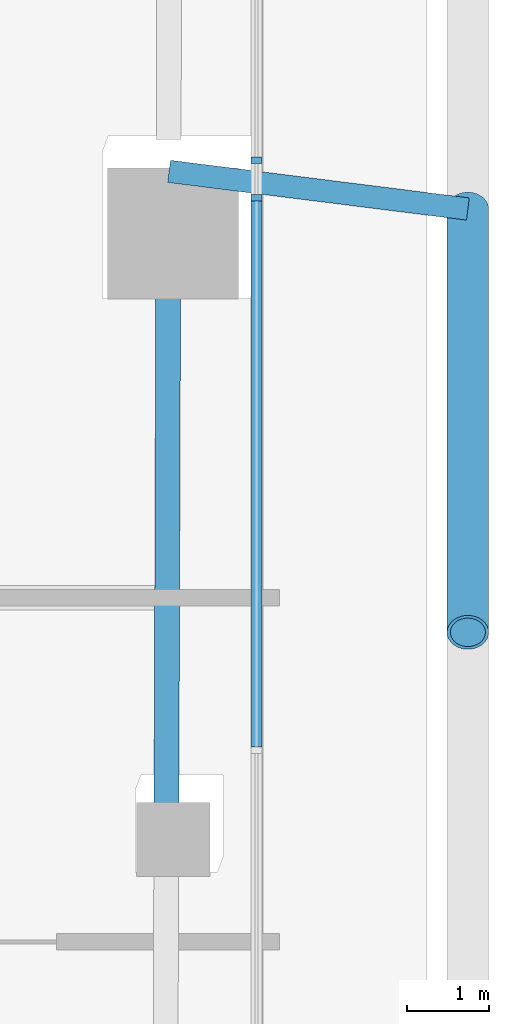
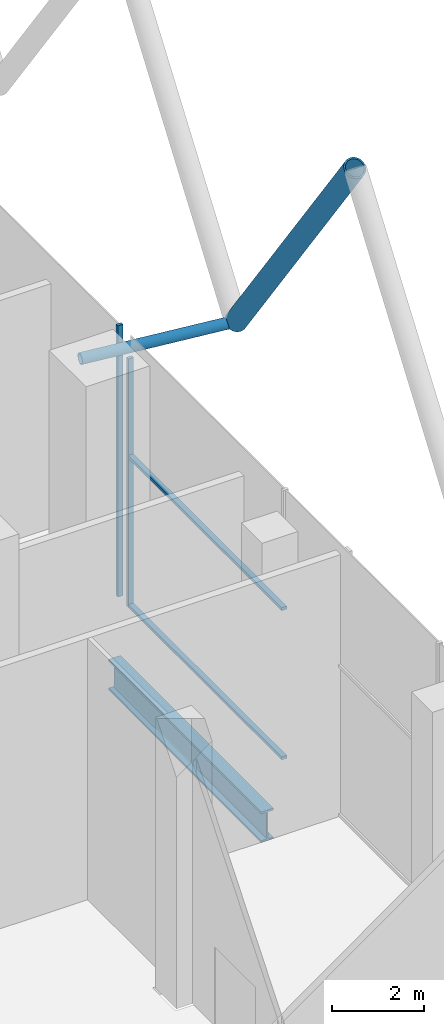
# One storey, part 7 of 34: 6 members, 1 beam, 3 elements without a shape of their own.
"""IFC4 building model written with IfcOpenShell, lengths in metres."""

from ifc_helpers import new_model, si_unit, direction, frame, origin, origin_2d, place, context, subcontext, project, spatial, rectangle, hollow_circle, i_section, extrude, material, layer, layer_set, material_profile, profile_set, type_object, element, aggregate, save


model = new_model("IFC4")

# Units and contexts
model_context = context("Model", 3, precision=1e-05, world=origin(), true_north=direction((0.0, 1.0)))
body_context = subcontext(model_context, "Body", "Model", "MODEL_VIEW")
ifc_project = project(units=[si_unit("LENGTHUNIT", "METRE"), si_unit("AREAUNIT", "SQUARE_METRE"), si_unit("VOLUMEUNIT", "CUBIC_METRE"), si_unit("PLANEANGLEUNIT", "RADIAN"), si_unit("MASSUNIT", "GRAM", prefix="KILO")], contexts=[model_context])

# Site, building, storey
site_placement = place(None, origin())
site = spatial("IfcSite", under=ifc_project, at=site_placement, CompositionType="ELEMENT")
building_placement = place(site_placement, origin())
building = spatial("IfcBuilding", under=site, at=building_placement, Name="Marenta Gate Hotel Tower", CompositionType="ELEMENT")
storey_placement = place(building_placement, frame((0.0, 0.0, 97.699951171875)))
storey = spatial("IfcBuildingStorey", under=building, at=storey_placement, Name="L21", CompositionType="ELEMENT", Elevation=97.699951171875)

# Member
ifc_material_1 = material(Name="Steel S355J2W", Category="steel")
ifc_material_profile_1 = material_profile(ifc_material_1, hollow_circle(Radius=0.25390625, WallThickness=0.0400390625, at=origin_2d()), Name="CHS 508x40")
ifc_profile_set_1 = profile_set([ifc_material_profile_1], Name="Steel S355J2W")
member_type_1 = type_object("IfcMemberType", Name="Diagrid diagonal Z2 CHS 508x40", PredefinedType="BRACE", material=ifc_profile_set_1)
member_1_placement = place(storey_placement, frame((29.89990234375, 4.75, 6.739990234375), z_axis=(0.0, -0.583279014058, 0.812271870595), x_axis=(1.0, 0.0, 0.0)))
element("IfcMember", 1, at=member_1_placement, inside=storey, type_object=member_type_1, Name="L21-DG-6", PredefinedType="BRACE", context=body_context, shape_type="SweptSolid", body=[
    extrude(hollow_circle(Radius=0.25390625, WallThickness=0.0400390625, at=origin_2d()), origin(), (0.0, 0.0, 1.0), 8.864013671875),
])

# Beam
ifc_material_2 = material(Name="Steel S355", Category="steel")
ifc_material_profile_2 = material_profile(ifc_material_2, i_section(OverallWidth=0.302978515625, OverallDepth=0.81396484375, WebThickness=0.030029296875, FlangeThickness=0.052001953125, FilletRadius=0.030029296875, at=origin_2d()), Name="HEM 800")
ifc_profile_set_2 = profile_set([ifc_material_profile_2], Name="Steel S355")
beam_type = type_object("IfcBeamType", Name="Edge beam HEM 800", PredefinedType="SPANDREL", material=ifc_profile_set_2)
beam_placement = place(storey_placement, frame((26.2392578125, 3.68994140625, -0.6669921875), z_axis=(-0.003325518813, -0.999994470447, 0.0), x_axis=(0.999994470447, -0.003325518813, 0.0)))
element("IfcBeam", 2, at=beam_placement, inside=storey, type_object=beam_type, Name="L21-EB-24", PredefinedType="SPANDREL", context=body_context, shape_type="SweptSolid", body=[
    extrude(i_section(OverallWidth=0.302978515625, OverallDepth=0.81396484375, WebThickness=0.030029296875, FlangeThickness=0.052001953125, FilletRadius=0.030029296875, at=origin_2d()), origin(), (0.0, 0.0, 1.0), 6.6806640625),
])

# Member
ifc_material_3 = material(Name="Steel S355J2W", Category="steel")
ifc_material_profile_3 = material_profile(ifc_material_3, hollow_circle(Radius=0.136474609375, WallThickness=0.012451171875, at=origin_2d()), Name="CHS 273x12.5")
ifc_profile_set_3 = profile_set([ifc_material_profile_3], Name="Steel S355J2W")
member_type_2 = type_object("IfcMemberType", Name="Floor tie CHS 273x12.5", PredefinedType="STRUT", material=ifc_profile_set_3)
member_2_placement = place(storey_placement, frame((29.89990234375, 4.75, 6.739990234375), z_axis=(-0.992172319979, 0.12487628865, 0.0), x_axis=(-0.12487628865, -0.992172319979, 0.0)))
element("IfcMember", 3, at=member_2_placement, inside=storey, type_object=member_type_2, Name="L21-DR-9", PredefinedType="STRUT", context=body_context, shape_type="SweptSolid", body=[
    extrude(hollow_circle(Radius=0.136474609375, WallThickness=0.012451171875, at=origin_2d()), origin(), (0.0, 0.0, 1.0), 3.677490234375),
])

# Curtain wall, member
ifc_material_4 = material(Name="Tinted insulated glass in bronze anodised frame", Category="glass")
ifc_layer = layer(ifc_material_4, 0.1298828125)
ifc_layer_set = layer_set([ifc_layer], Name="Tinted insulated glass in bronze anodised frame")
curtain_wall_type = type_object("IfcCurtainWallType", Name="Sky lobby glazing CW2", PredefinedType="NOTDEFINED", material=ifc_layer_set)
curtain_wall_1_placement = place(storey_placement, origin())
curtain_wall_1 = element("IfcCurtainWall", 4, at=curtain_wall_1_placement, inside=storey, type_object=curtain_wall_type, Name="CW2 run G34", PredefinedType="NOTDEFINED")
ifc_material_5 = material(Name="Bronze anodised aluminium", Category="aluminium")
ifc_material_profile_4 = material_profile(ifc_material_5, rectangle(XDim=0.1298828125, YDim=0.080078125, at=origin_2d()), Name="Mullion CW2 80x130 bronze anodised aluminium")
ifc_profile_set_4 = profile_set([ifc_material_profile_4], Name="Bronze anodised aluminium")
member_type_3 = type_object("IfcMemberType", Name="Mullion CW2 80x130 bronze anodised aluminium", PredefinedType="MULLION", material=ifc_profile_set_4)
member_3_placement = place(storey_placement, frame((27.319091796875, 4.886474609375, 0.0), z_axis=(0.0, 0.0, 1.0), x_axis=(-1.0, 0.0, 0.0)))
member_3 = element("IfcMember", 5, at=member_3_placement, type_object=member_type_3, Name="CW2 mullion 1", PredefinedType="MULLION", context=body_context, shape_type="SweptSolid", body=[
    extrude(rectangle(XDim=0.1298828125, YDim=0.080078125, at=origin_2d()), origin(), (0.0, 0.0, 1.0), 6.6005859375),
])
aggregate(curtain_wall_1, [member_3])

curtain_wall_2_placement = place(storey_placement, origin())
curtain_wall_2 = element("IfcCurtainWall", 6, at=curtain_wall_2_placement, inside=storey, type_object=curtain_wall_type, Name="CW2 run G35", PredefinedType="NOTDEFINED")
member_4_placement = place(storey_placement, frame((27.319091796875, 5.343017578125, 0.0), z_axis=(0.0, 0.0, 1.0), x_axis=(-1.0, 0.0, 0.0)))
member_4 = element("IfcMember", 7, at=member_4_placement, type_object=member_type_3, Name="CW2 mullion 1", PredefinedType="MULLION", context=body_context, shape_type="SweptSolid", body=[
    extrude(rectangle(XDim=0.1298828125, YDim=0.080078125, at=origin_2d()), origin(), (0.0, 0.0, 1.0), 7.199951171875),
])
aggregate(curtain_wall_2, [member_4])

# Curtain wall, members
curtain_wall_3_placement = place(storey_placement, origin())
curtain_wall_3 = element("IfcCurtainWall", 8, at=curtain_wall_3_placement, inside=storey, type_object=curtain_wall_type, Name="CW2 run G33", PredefinedType="NOTDEFINED")
ifc_material_6 = material(Name="Bronze anodised aluminium", Category="aluminium")
ifc_material_profile_5 = material_profile(ifc_material_6, rectangle(XDim=0.1298828125, YDim=0.080078125, at=origin_2d()), Name="Transom CW2 80x130 bronze anodised aluminium")
ifc_profile_set_5 = profile_set([ifc_material_profile_5], Name="Bronze anodised aluminium")
member_type_4 = type_object("IfcMemberType", Name="Transom CW2 80x130 bronze anodised aluminium", PredefinedType="USERDEFINED", material=ifc_profile_set_5)
member_5_placement = place(storey_placement, frame((27.319091796875, -1.821044921875, 0.0400390625), z_axis=(0.0, 1.0, 0.0), x_axis=(-1.0, 0.0, 0.0)))
member_5 = element("IfcMember", 9, at=member_5_placement, type_object=member_type_4, Name="CW2 transom 3.1", ObjectType="TRANSOM", PredefinedType="USERDEFINED", context=body_context, shape_type="SweptSolid", body=[
    extrude(rectangle(XDim=0.1298828125, YDim=0.080078125, at=origin_2d()), origin(), (0.0, 0.0, 1.0), 6.66748046875),
])
member_6_placement = place(storey_placement, frame((27.319091796875, -1.821044921875, 4.0), z_axis=(0.0, 1.0, 0.0), x_axis=(-1.0, 0.0, 0.0)))
member_6 = element("IfcMember", 10, at=member_6_placement, type_object=member_type_4, Name="CW2 transom 3.2", ObjectType="TRANSOM", PredefinedType="USERDEFINED", context=body_context, shape_type="SweptSolid", body=[
    extrude(rectangle(XDim=0.1298828125, YDim=0.080078125, at=origin_2d()), origin(), (0.0, 0.0, 1.0), 6.66748046875),
])
aggregate(curtain_wall_3, [member_5, member_6])

save(model, "model.ifc")
